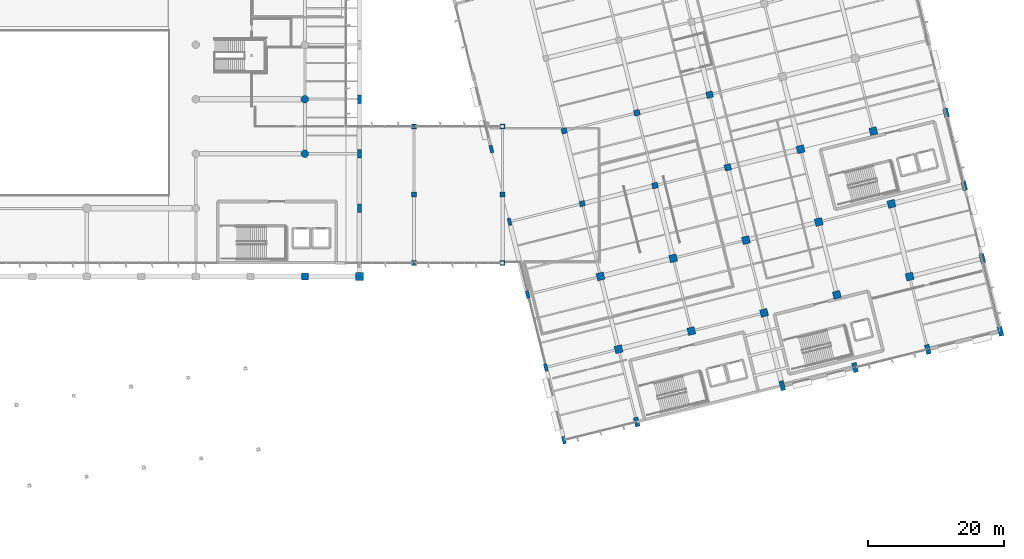
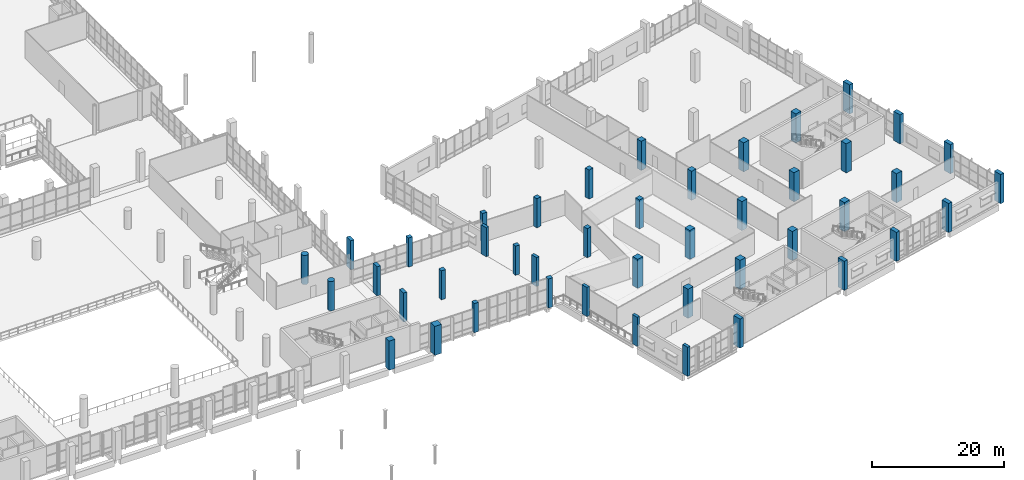
# One storey, part 12 of 176: 44 columns.
"""IFC4 building model written with IfcOpenShell, lengths in metres."""

from ifc_helpers import new_model, si_unit, direction, frame, origin, origin_2d, place, context, subcontext, project, spatial, rectangle, circle, extrude, material, material_profile, profile_set, type_object, element, save


model = new_model("IFC4")

# Units and contexts
model_context = context("Model", 3, precision=1e-05, world=origin(), true_north=direction((0.0, 1.0)))
body_context = subcontext(model_context, "Body", "Model", "MODEL_VIEW")
ifc_project = project(units=[si_unit("LENGTHUNIT", "METRE"), si_unit("AREAUNIT", "SQUARE_METRE"), si_unit("VOLUMEUNIT", "CUBIC_METRE"), si_unit("PLANEANGLEUNIT", "RADIAN"), si_unit("MASSUNIT", "GRAM", prefix="KILO")], contexts=[model_context])

# Site, building, storey
site_placement = place(None, origin())
site = spatial("IfcSite", under=ifc_project, at=site_placement, CompositionType="ELEMENT")
building_placement = place(site_placement, origin())
building = spatial("IfcBuilding", under=site, at=building_placement, Name="Khorjan Park Terminus", CompositionType="ELEMENT")
storey_placement = place(building_placement, frame((0.0, 0.0, 6.0)))
storey = spatial("IfcBuildingStorey", under=building, at=storey_placement, Name="L01", CompositionType="ELEMENT", Elevation=6.0)

# Columns
ifc_material_1 = material(Name="Concrete C50/60", Category="concrete")
ifc_material_profile_1 = material_profile(ifc_material_1, rectangle(XDim=0.5, YDim=1.1, at=origin_2d()), Name="RC 500x1100")
ifc_profile_set_1 = profile_set([ifc_material_profile_1], Name="Concrete C50/60")
column_type_1 = type_object("IfcColumnType", Name="COL-BL1100E", PredefinedType="COLUMN", material=ifc_profile_set_1)
for number, where, z_axis, x_axis, name in (
    (1, (166.0, 2.0, 0.0), (0.0, 0.0, 1.0), (0.970295726276, 0.2419218956, 0.0), "Structural column C-BL11 (L01 #663)"),
    (2, (163.339, 12.673, 0.0), (0.0, 0.0, 1.0), (0.970295726276, 0.2419218956, 0.0), "Structural column C-BL11 (L01 #667)"),
    (3, (160.678, 23.346, 0.0), (0.0, 0.0, 1.0), (0.970295726276, 0.2419218956, 0.0), "Structural column C-BL11 (L01 #671)"),
    (4, (158.017, 34.02, 0.0), (0.0, 0.0, 1.0), (0.970295726276, 0.2419218956, 0.0), "Structural column C-BL11 (L01 #675)"),
    (5, (155.355, 44.693, 0.0), (0.0, 0.0, 1.0), (0.970295726276, 0.2419218956, 0.0), "Structural column C-BL11 (L01 #679)"),
):
    element("IfcColumn", number, at=place(storey_placement, frame(where, z_axis=z_axis, x_axis=x_axis)), inside=storey, type_object=column_type_1, Name=name, PredefinedType="COLUMN", context=body_context, shape_type="SweptSolid", body=[
        extrude(rectangle(XDim=0.5, YDim=1.1, at=origin_2d()), origin(), (0.0, 0.0, 1.0), 5.4),
    ])
ifc_material_profile_2 = material_profile(ifc_material_1, rectangle(XDim=0.6, YDim=1.2, at=origin_2d()), Name="RC 600x1200")
ifc_profile_set_2 = profile_set([ifc_material_profile_2], Name="Concrete C50/60")
column_type_2 = type_object("IfcColumnType", Name="COL-BL1200", PredefinedType="COLUMN", material=ifc_profile_set_2)
for number, where, z_axis, x_axis, name in (
    (6, (136.0, 36.0, 0.0), (0.0, 0.0, 1.0), (1.0, 0.0, 0.0), "Structural column C-BL12 (L01 #473)"),
    (7, (136.0, 44.0, 0.0), (0.0, 0.0, 1.0), (1.0, 0.0, 0.0), "Structural column C-BL12 (L01 #478)"),
    (8, (136.0, 52.0, 0.0), (0.0, 0.0, 1.0), (1.0, 0.0, 0.0), "Structural column C-BL12 (L01 #483)"),
):
    element("IfcColumn", number, at=place(storey_placement, frame(where, z_axis=z_axis, x_axis=x_axis)), inside=storey, type_object=column_type_2, Name=name, PredefinedType="COLUMN", context=body_context, shape_type="SweptSolid", body=[
        extrude(rectangle(XDim=0.6, YDim=1.2, at=origin_2d()), origin(), (0.0, 0.0, 1.0), 5.4),
    ])
ifc_material_profile_3 = material_profile(ifc_material_1, rectangle(XDim=0.7, YDim=1.4, at=origin_2d()), Name="RC 700x1400")
ifc_profile_set_3 = profile_set([ifc_material_profile_3], Name="Concrete C50/60")
column_type_3 = type_object("IfcColumnType", Name="COL-BL1400E", PredefinedType="COLUMN", material=ifc_profile_set_3)
for number, where, z_axis, x_axis, name in (
    (9, (176.673, 4.661, 0.0), (0.0, 0.0, 1.0), (0.970295726276, 0.2419218956, 0.0), "Structural column C-BL14 (L01 #688)"),
    (10, (198.02, 9.983, 0.0), (0.0, 0.0, 1.0), (0.970295726276, 0.2419218956, 0.0), "Structural column C-BL14 (L01 #751)"),
    (11, (208.693, 12.645, 0.0), (0.0, 0.0, 1.0), (0.970295726276, 0.2419218956, 0.0), "Structural column C-BL14 (L01 #792)"),
    (12, (219.366, 15.306, 0.0), (0.0, 0.0, 1.0), (0.970295726276, 0.2419218956, 0.0), "Structural column C-BL14 (L01 #838)"),
    (13, (230.04, 17.967, 0.0), (0.0, 0.0, 1.0), (0.970295726276, 0.2419218956, 0.0), "Structural column C-BL14 (L01 #884)"),
    (14, (227.378, 28.64, 0.0), (0.0, 0.0, 1.0), (0.970295726276, 0.2419218956, 0.0), "Structural column C-BL14 (L01 #891)"),
    (15, (224.717, 39.313, 0.0), (0.0, 0.0, 1.0), (0.970295726276, 0.2419218956, 0.0), "Structural column C-BL14 (L01 #898)"),
    (16, (222.056, 49.987, 0.0), (0.0, 0.0, 1.0), (0.970295726276, 0.2419218956, 0.0), "Structural column C-BL14 (L01 #905)"),
):
    element("IfcColumn", number, at=place(storey_placement, frame(where, z_axis=z_axis, x_axis=x_axis)), inside=storey, type_object=column_type_3, Name=name, PredefinedType="COLUMN", context=body_context, shape_type="SweptSolid", body=[
        extrude(rectangle(XDim=0.7, YDim=1.4, at=origin_2d()), origin(), (0.0, 0.0, 1.0), 5.4),
    ])
ifc_material_profile_4 = material_profile(ifc_material_1, rectangle(XDim=1.05, YDim=1.05, at=origin_2d()), Name="RC 1050x1050")
ifc_profile_set_4 = profile_set([ifc_material_profile_4], Name="Concrete C50/60")
column_type_4 = type_object("IfcColumnType", Name="COL-RC1050", PredefinedType="COLUMN", material=ifc_profile_set_4)
column_1_placement = place(storey_placement, frame((128.0, 26.0, 0.0), z_axis=(0.0, 0.0, 1.0), x_axis=(1.0, 0.0, 0.0)))
element("IfcColumn", 17, at=column_1_placement, inside=storey, type_object=column_type_4, Name="Structural column C-RC105 (L01 #443)", PredefinedType="COLUMN", context=body_context, shape_type="SweptSolid", body=[
    extrude(rectangle(XDim=1.05, YDim=1.05, at=origin_2d()), origin(), (0.0, 0.0, 1.0), 5.4),
])
ifc_material_profile_5 = material_profile(ifc_material_1, rectangle(XDim=1.1, YDim=1.1, at=origin_2d()), Name="RC 1100x1100")
ifc_profile_set_5 = profile_set([ifc_material_profile_5], Name="Concrete C50/60")
column_type_5 = type_object("IfcColumnType", Name="COL-RC1100", PredefinedType="COLUMN", material=ifc_profile_set_5)
for number, where, z_axis, x_axis, name in (
    (18, (174.012, 15.334, 0.0), (0.0, 0.0, 1.0), (0.970295726276, 0.2419218956, 0.0), "Structural column C-RC11 (L01 #695)"),
    (19, (171.351, 26.008, 0.0), (0.0, 0.0, 1.0), (0.970295726276, 0.2419218956, 0.0), "Structural column C-RC11 (L01 #702)"),
    (20, (184.685, 17.995, 0.0), (0.0, 0.0, 1.0), (0.970295726276, 0.2419218956, 0.0), "Structural column C-RC11 (L01 #721)"),
    (21, (182.024, 28.669, 0.0), (0.0, 0.0, 1.0), (0.970295726276, 0.2419218956, 0.0), "Structural column C-RC11 (L01 #728)"),
    (22, (195.359, 20.657, 0.0), (0.0, 0.0, 1.0), (0.970295726276, 0.2419218956, 0.0), "Structural column C-RC11 (L01 #758)"),
    (23, (192.697, 31.33, 0.0), (0.0, 0.0, 1.0), (0.970295726276, 0.2419218956, 0.0), "Structural column C-RC11 (L01 #765)"),
    (24, (206.032, 23.318, 0.0), (0.0, 0.0, 1.0), (0.970295726276, 0.2419218956, 0.0), "Structural column C-RC11 (L01 #799)"),
    (25, (203.371, 33.991, 0.0), (0.0, 0.0, 1.0), (0.970295726276, 0.2419218956, 0.0), "Structural column C-RC11 (L01 #806)"),
    (26, (200.71, 44.664, 0.0), (0.0, 0.0, 1.0), (0.970295726276, 0.2419218956, 0.0), "Structural column C-RC11 (L01 #813)"),
    (27, (216.705, 25.979, 0.0), (0.0, 0.0, 1.0), (0.970295726276, 0.2419218956, 0.0), "Structural column C-RC11 (L01 #845)"),
    (28, (214.044, 36.652, 0.0), (0.0, 0.0, 1.0), (0.970295726276, 0.2419218956, 0.0), "Structural column C-RC11 (L01 #852)"),
    (29, (211.383, 47.325, 0.0), (0.0, 0.0, 1.0), (0.970295726276, 0.2419218956, 0.0), "Structural column C-RC11 (L01 #859)"),
):
    element("IfcColumn", number, at=place(storey_placement, frame(where, z_axis=z_axis, x_axis=x_axis)), inside=storey, type_object=column_type_5, Name=name, PredefinedType="COLUMN", context=body_context, shape_type="SweptSolid", body=[
        extrude(rectangle(XDim=1.1, YDim=1.1, at=origin_2d()), origin(), (0.0, 0.0, 1.0), 5.4),
    ])
ifc_material_profile_6 = material_profile(ifc_material_1, rectangle(XDim=1.2, YDim=1.2, at=origin_2d()), Name="RC 1200x1200")
ifc_profile_set_6 = profile_set([ifc_material_profile_6], Name="Concrete C50/60")
column_type_6 = type_object("IfcColumnType", Name="COL-RC1200", PredefinedType="COLUMN", material=ifc_profile_set_6)
column_2_placement = place(storey_placement, frame((136.0, 26.0, 0.0), z_axis=(0.0, 0.0, 1.0), x_axis=(1.0, 0.0, 0.0)))
element("IfcColumn", 30, at=column_2_placement, inside=storey, type_object=column_type_6, Name="Structural column C-RC12 (L01 #468)", PredefinedType="COLUMN", context=body_context, shape_type="SweptSolid", body=[
    extrude(rectangle(XDim=1.2, YDim=1.2, at=origin_2d()), origin(), (0.0, 0.0, 1.0), 5.4),
])
ifc_material_2 = material(Name="Concrete C40/50", Category="concrete")
ifc_material_profile_7 = material_profile(ifc_material_2, rectangle(XDim=0.75, YDim=0.75, at=origin_2d()), Name="RC 750x750")
ifc_profile_set_7 = profile_set([ifc_material_profile_7], Name="Concrete C40/50")
column_type_7 = type_object("IfcColumnType", Name="COL-RC750", PredefinedType="COLUMN", material=ifc_profile_set_7)
for number, where, z_axis, x_axis, name in (
    (31, (144.0, 28.0, 0.0), (0.0, 0.0, 1.0), (1.0, 0.0, 0.0), "Structural column C-RC75 (L01 #930)"),
    (32, (144.0, 38.0, 0.0), (0.0, 0.0, 1.0), (1.0, 0.0, 0.0), "Structural column C-RC75 (L01 #933)"),
    (33, (144.0, 48.0, 0.0), (0.0, 0.0, 1.0), (1.0, 0.0, 0.0), "Structural column C-RC75 (L01 #936)"),
    (34, (157.0, 28.0, 0.0), (0.0, 0.0, 1.0), (1.0, 0.0, 0.0), "Structural column C-RC75 (L01 #941)"),
    (35, (157.0, 38.0, 0.0), (0.0, 0.0, 1.0), (1.0, 0.0, 0.0), "Structural column C-RC75 (L01 #944)"),
    (36, (157.0, 48.0, 0.0), (0.0, 0.0, 1.0), (1.0, 0.0, 0.0), "Structural column C-RC75 (L01 #947)"),
):
    element("IfcColumn", number, at=place(storey_placement, frame(where, z_axis=z_axis, x_axis=x_axis)), inside=storey, type_object=column_type_7, Name=name, PredefinedType="COLUMN", context=body_context, shape_type="SweptSolid", body=[
        extrude(rectangle(XDim=0.75, YDim=0.75, at=origin_2d()), origin(), (0.0, 0.0, 1.0), 5.4),
    ])
ifc_material_profile_8 = material_profile(ifc_material_2, rectangle(XDim=0.8, YDim=0.8, at=origin_2d()), Name="RC 800x800")
ifc_profile_set_8 = profile_set([ifc_material_profile_8], Name="Concrete C40/50")
column_type_8 = type_object("IfcColumnType", Name="COL-RC800", PredefinedType="COLUMN", material=ifc_profile_set_8)
for number, where, z_axis, x_axis, name in (
    (37, (168.69, 36.681, 0.0), (0.0, 0.0, 1.0), (0.970295726276, 0.2419218956, 0.0), "Structural column C-RC08 (L01 #709)"),
    (38, (166.029, 47.354, 0.0), (0.0, 0.0, 1.0), (0.970295726276, 0.2419218956, 0.0), "Structural column C-RC08 (L01 #712)"),
):
    element("IfcColumn", number, at=place(storey_placement, frame(where, z_axis=z_axis, x_axis=x_axis)), inside=storey, type_object=column_type_8, Name=name, PredefinedType="COLUMN", context=body_context, shape_type="SweptSolid", body=[
        extrude(rectangle(XDim=0.8, YDim=0.8, at=origin_2d()), origin(), (0.0, 0.0, 1.0), 5.4),
    ])
ifc_material_profile_9 = material_profile(ifc_material_2, rectangle(XDim=0.85, YDim=0.85, at=origin_2d()), Name="RC 850x850")
ifc_profile_set_9 = profile_set([ifc_material_profile_9], Name="Concrete C40/50")
column_type_9 = type_object("IfcColumnType", Name="COL-RC850", PredefinedType="COLUMN", material=ifc_profile_set_9)
for number, where, z_axis, x_axis, name in (
    (39, (179.363, 39.342, 0.0), (0.0, 0.0, 1.0), (0.970295726276, 0.2419218956, 0.0), "Structural column C-RC85 (L01 #735)"),
    (40, (176.702, 50.015, 0.0), (0.0, 0.0, 1.0), (0.970295726276, 0.2419218956, 0.0), "Structural column C-RC85 (L01 #739)"),
):
    element("IfcColumn", number, at=place(storey_placement, frame(where, z_axis=z_axis, x_axis=x_axis)), inside=storey, type_object=column_type_9, Name=name, PredefinedType="COLUMN", context=body_context, shape_type="SweptSolid", body=[
        extrude(rectangle(XDim=0.85, YDim=0.85, at=origin_2d()), origin(), (0.0, 0.0, 1.0), 5.4),
    ])
ifc_material_profile_10 = material_profile(ifc_material_1, rectangle(XDim=0.95, YDim=0.95, at=origin_2d()), Name="RC 950x950")
ifc_profile_set_10 = profile_set([ifc_material_profile_10], Name="Concrete C50/60")
column_type_10 = type_object("IfcColumnType", Name="COL-RC950", PredefinedType="COLUMN", material=ifc_profile_set_10)
for number, where, z_axis, x_axis, name in (
    (41, (190.036, 42.003, 0.0), (0.0, 0.0, 1.0), (0.970295726276, 0.2419218956, 0.0), "Structural column C-RC95 (L01 #772)"),
    (42, (187.375, 52.676, 0.0), (0.0, 0.0, 1.0), (0.970295726276, 0.2419218956, 0.0), "Structural column C-RC95 (L01 #777)"),
):
    element("IfcColumn", number, at=place(storey_placement, frame(where, z_axis=z_axis, x_axis=x_axis)), inside=storey, type_object=column_type_10, Name=name, PredefinedType="COLUMN", context=body_context, shape_type="SweptSolid", body=[
        extrude(rectangle(XDim=0.95, YDim=0.95, at=origin_2d()), origin(), (0.0, 0.0, 1.0), 5.4),
    ])
ifc_material_profile_11 = material_profile(ifc_material_1, circle(Radius=0.55, at=origin_2d()), Name="RC D1100")
ifc_profile_set_11 = profile_set([ifc_material_profile_11], Name="Concrete C50/60")
column_type_11 = type_object("IfcColumnType", Name="COL-RD1100", PredefinedType="COLUMN", material=ifc_profile_set_11)
for number, where, z_axis, x_axis, name in (
    (43, (128.0, 44.0, 0.0), (0.0, 0.0, 1.0), (1.0, 0.0, 0.0), "Structural column C-RD11 (L01 #448)"),
    (44, (128.0, 52.0, 0.0), (0.0, 0.0, 1.0), (1.0, 0.0, 0.0), "Structural column C-RD11 (L01 #451)"),
):
    element("IfcColumn", number, at=place(storey_placement, frame(where, z_axis=z_axis, x_axis=x_axis)), inside=storey, type_object=column_type_11, Name=name, PredefinedType="COLUMN", context=body_context, shape_type="SweptSolid", body=[
        extrude(circle(Radius=0.55, at=origin_2d()), origin(), (0.0, 0.0, 1.0), 5.4),
    ])

save(model, "model.ifc")
